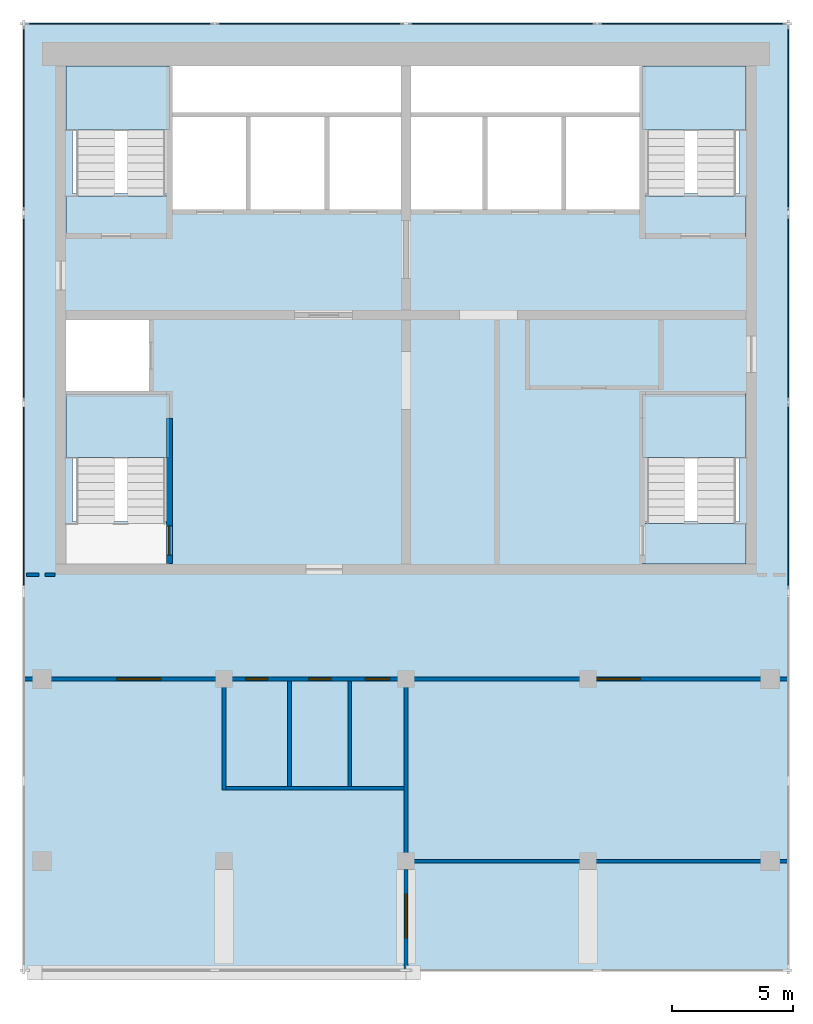
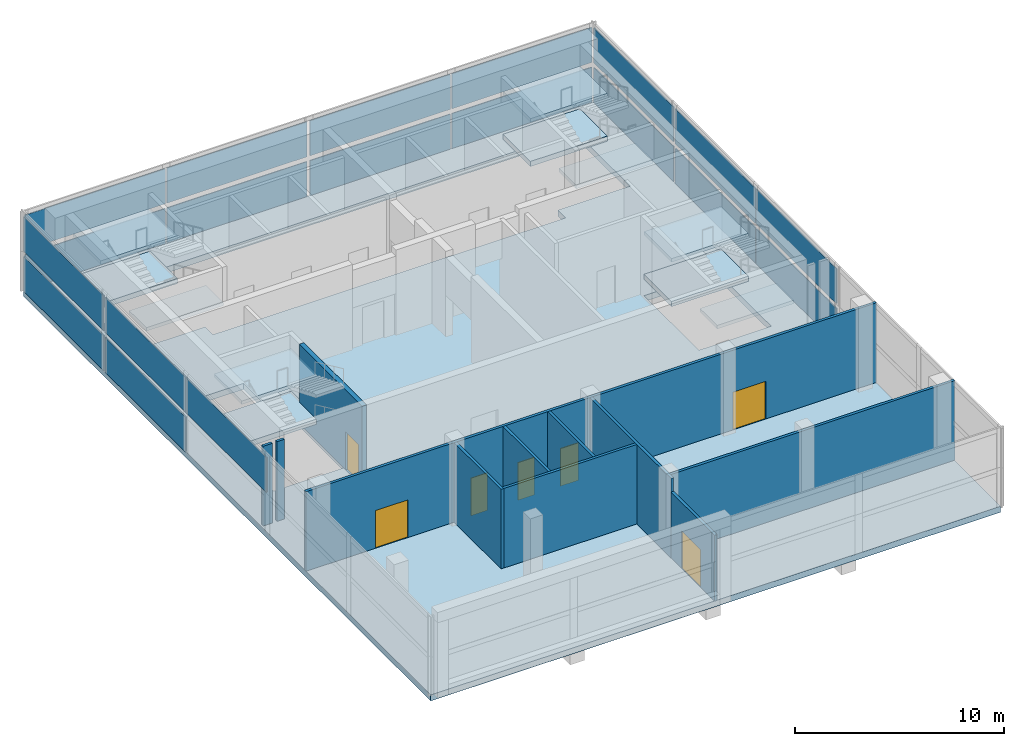
# One storey, part 3 of 6: 19 plates, 12 slabs, 11 walls, 7 doors, 7 openings, 16 elements without a shape of their own.
"""IFC4 building model written with IfcOpenShell, lengths in metres."""

from ifc_helpers import new_model, si_unit, direction, frame, frame_2d, origin, origin_2d, place, context, subcontext, project, spatial, polyline, rectangle, outline, extrude, material, layer, layer_set, type_object, element, fill, aggregate, save


model = new_model("IFC4")

# Units and contexts
model_context = context("Model", 3, precision=1e-05, world=origin(), true_north=direction((0.0, 1.0)))
body_context = subcontext(model_context, "Body", "Model", "MODEL_VIEW")
ifc_project = project(units=[si_unit("LENGTHUNIT", "METRE"), si_unit("AREAUNIT", "SQUARE_METRE"), si_unit("VOLUMEUNIT", "CUBIC_METRE"), si_unit("PLANEANGLEUNIT", "RADIAN"), si_unit("MASSUNIT", "GRAM", prefix="KILO")], contexts=[model_context])

# Site, building, storey
site_placement = place(None, origin())
site = spatial("IfcSite", under=ifc_project, at=site_placement, CompositionType="ELEMENT")
building_placement = place(site_placement, origin())
building = spatial("IfcBuilding", under=site, at=building_placement, Name="Pilkhan Gate Tower", CompositionType="ELEMENT")
storey_placement = place(building_placement, frame((0.0, 0.0, 287.699951171875)))
storey = spatial("IfcBuildingStorey", under=building, at=storey_placement, Name="L75", CompositionType="ELEMENT", Elevation=287.699951171875)

# Slab
ifc_material_1 = material(Name="Concrete C40/50", Category="concrete")
ifc_layer_1 = layer(ifc_material_1, 0.35009765625)
ifc_layer_set_1 = layer_set([ifc_layer_1], Name="Flat plate slab FP350")
slab_type_1 = type_object("IfcSlabType", Name="Flat plate slab FP350", PredefinedType="FLOOR", material=ifc_layer_set_1)
slab_1_placement = place(storey_placement, frame((0.0, 0.0, -0.349853515625)))
element("IfcSlab", 1, at=slab_1_placement, inside=storey, type_object=slab_type_1, Name="Floor slab L75", PredefinedType="FLOOR", context=body_context, shape_type="SweptSolid", body=[
    extrude(outline(polyline([(90.75, 94.5), (90.75, 55.5), (59.25, 55.5), (59.25, 94.5), (90.75, 94.5)]), holes=[polyline([(78.25, 86.75), (81.5, 86.75), (84.75, 86.75), (84.75, 87.5), (88.75, 87.5), (88.75, 92.75), (84.75, 92.75), (75.0, 92.75), (65.25, 92.75), (61.25, 92.75), (61.25, 87.5), (65.25, 87.5), (65.25, 86.75), (68.5, 86.75), (71.75, 86.75), (75.0, 86.75), (78.25, 86.75)]), polyline([(84.75, 79.25), (84.75, 74.0), (88.75, 74.0), (88.75, 79.25), (84.75, 79.25)]), polyline([(65.25, 79.25), (64.5, 79.25), (64.5, 82.5), (61.25, 82.5), (61.0, 82.5), (61.0, 79.25), (61.25, 79.25), (61.25, 74.0), (65.25, 74.0), (65.25, 79.25)])]), origin(), (0.0, 0.0, 1.0), 0.349853515625),
])

# Curtain wall, plates
ifc_material_2 = material(Name="Pale anodised aluminium, clear low-iron laminated glazing", Category="aluminium")
curtain_wall_type = type_object("IfcCurtainWallType", Name="Sky lobby and deck curtain wall CW-S", PredefinedType="USERDEFINED", material=ifc_material_2)
curtain_wall_1_placement = place(storey_placement, origin())
curtain_wall_1 = element("IfcCurtainWall", 2, at=curtain_wall_1_placement, inside=storey, type_object=curtain_wall_type, Name="Sky lobby and deck curtain wall CW-S L75 E", ObjectType="UNITISED CURTAIN WALL", PredefinedType="USERDEFINED")
ifc_material_3 = material(Name="Clear low-iron laminated glazing", Category="glass")
ifc_layer_2 = layer(ifc_material_3, 0.055908203125)
ifc_layer_set_2 = layer_set([ifc_layer_2], Name="Glass panel CW-S 56")
plate_type = type_object("IfcPlateType", Name="Glass panel CW-S 56", PredefinedType="CURTAIN_PANEL", material=ifc_layer_set_2)
plate_1_placement = place(storey_placement, frame((90.75, 75.0224609375, 0.0), z_axis=(0.0, 0.0, 1.0), x_axis=(0.0, 1.0, 0.0)))
plate_1 = element("IfcPlate", 3, at=plate_1_placement, type_object=plate_type, Name="CW-S panel 1", PredefinedType="CURTAIN_PANEL", context=body_context, shape_type="SweptSolid", body=[
    extrude(rectangle(XDim=7.6650390625, YDim=0.055908203125, at=origin_2d()), origin(), (0.0, 0.0, 1.0), 2.044921875),
])
plate_2_placement = place(storey_placement, frame((90.75, 82.777587890625, 0.0), z_axis=(0.0, 0.0, 1.0), x_axis=(0.0, 1.0, 0.0)))
plate_2 = element("IfcPlate", 4, at=plate_2_placement, type_object=plate_type, Name="CW-S panel 2", PredefinedType="CURTAIN_PANEL", context=body_context, shape_type="SweptSolid", body=[
    extrude(rectangle(XDim=7.6650390625, YDim=0.055908203125, at=origin_2d()), origin(), (0.0, 0.0, 1.0), 2.044921875),
])
aggregate(curtain_wall_1, [plate_1, plate_2])

# Curtain wall, plate
curtain_wall_2_placement = place(storey_placement, origin())
curtain_wall_2 = element("IfcCurtainWall", 5, at=curtain_wall_2_placement, inside=storey, type_object=curtain_wall_type, Name="Sky lobby and deck curtain wall CW-S L75 E", ObjectType="UNITISED CURTAIN WALL", PredefinedType="USERDEFINED")
plate_3_placement = place(storey_placement, frame((90.75, 90.60009765625, 0.0), z_axis=(0.0, 0.0, 1.0), x_axis=(0.0, 1.0, 0.0)))
plate_3 = element("IfcPlate", 6, at=plate_3_placement, type_object=plate_type, Name="CW-S panel 1", PredefinedType="CURTAIN_PANEL", context=body_context, shape_type="SweptSolid", body=[
    extrude(rectangle(XDim=7.6201171875, YDim=0.055908203125, at=origin_2d()), origin(), (0.0, 0.0, 1.0), 2.044921875),
])
aggregate(curtain_wall_2, [plate_3])

# Curtain wall, plates
curtain_wall_3_placement = place(storey_placement, origin())
curtain_wall_3 = element("IfcCurtainWall", 7, at=curtain_wall_3_placement, inside=storey, type_object=curtain_wall_type, Name="Sky lobby and deck curtain wall CW-S L75 E", ObjectType="UNITISED CURTAIN WALL", PredefinedType="USERDEFINED")
plate_4_placement = place(storey_placement, frame((90.75, 75.0224609375, 2.3251953125), z_axis=(0.0, 0.0, 1.0), x_axis=(0.0, 1.0, 0.0)))
plate_4 = element("IfcPlate", 8, at=plate_4_placement, type_object=plate_type, Name="CW-S panel 1", PredefinedType="CURTAIN_PANEL", context=body_context, shape_type="SweptSolid", body=[
    extrude(rectangle(XDim=7.6650390625, YDim=0.055908203125, at=origin_2d()), origin(), (0.0, 0.0, 1.0), 2.044921875),
])
plate_5_placement = place(storey_placement, frame((90.75, 82.777587890625, 2.3251953125), z_axis=(0.0, 0.0, 1.0), x_axis=(0.0, 1.0, 0.0)))
plate_5 = element("IfcPlate", 9, at=plate_5_placement, type_object=plate_type, Name="CW-S panel 2", PredefinedType="CURTAIN_PANEL", context=body_context, shape_type="SweptSolid", body=[
    extrude(rectangle(XDim=7.6650390625, YDim=0.055908203125, at=origin_2d()), origin(), (0.0, 0.0, 1.0), 2.044921875),
])
aggregate(curtain_wall_3, [plate_4, plate_5])

# Curtain wall, plate
curtain_wall_4_placement = place(storey_placement, origin())
curtain_wall_4 = element("IfcCurtainWall", 10, at=curtain_wall_4_placement, inside=storey, type_object=curtain_wall_type, Name="Sky lobby and deck curtain wall CW-S L75 E", ObjectType="UNITISED CURTAIN WALL", PredefinedType="USERDEFINED")
plate_6_placement = place(storey_placement, frame((90.75, 90.60009765625, 2.3251953125), z_axis=(0.0, 0.0, 1.0), x_axis=(0.0, 1.0, 0.0)))
plate_6 = element("IfcPlate", 11, at=plate_6_placement, type_object=plate_type, Name="CW-S panel 1", PredefinedType="CURTAIN_PANEL", context=body_context, shape_type="SweptSolid", body=[
    extrude(rectangle(XDim=7.6201171875, YDim=0.055908203125, at=origin_2d()), origin(), (0.0, 0.0, 1.0), 2.044921875),
])
aggregate(curtain_wall_4, [plate_6])

# Curtain wall, plates
curtain_wall_5_placement = place(storey_placement, origin())
curtain_wall_5 = element("IfcCurtainWall", 12, at=curtain_wall_5_placement, inside=storey, type_object=curtain_wall_type, Name="Sky lobby and deck curtain wall CW-S L75 N", ObjectType="UNITISED CURTAIN WALL", PredefinedType="USERDEFINED")
plate_7_placement = place(storey_placement, frame((63.2099609375, 94.5, 0.0), z_axis=(0.0, 0.0, 1.0), x_axis=(1.0, 0.0, 0.0)))
plate_7 = element("IfcPlate", 13, at=plate_7_placement, type_object=plate_type, Name="CW-S panel 1", PredefinedType="CURTAIN_PANEL", context=body_context, shape_type="SweptSolid", body=[
    extrude(rectangle(XDim=7.739990234375, YDim=0.055908203125, at=origin_2d()), origin(), (0.0, 0.0, 1.0), 2.044921875),
])
plate_8_placement = place(storey_placement, frame((71.0400390625, 94.5, 0.0), z_axis=(0.0, 0.0, 1.0), x_axis=(1.0, 0.0, 0.0)))
plate_8 = element("IfcPlate", 14, at=plate_8_placement, type_object=plate_type, Name="CW-S panel 2", PredefinedType="CURTAIN_PANEL", context=body_context, shape_type="SweptSolid", body=[
    extrude(rectangle(XDim=7.739990234375, YDim=0.055908203125, at=origin_2d()), origin(), (0.0, 0.0, 1.0), 2.044921875),
])
aggregate(curtain_wall_5, [plate_7, plate_8])

curtain_wall_6_placement = place(storey_placement, origin())
curtain_wall_6 = element("IfcCurtainWall", 15, at=curtain_wall_6_placement, inside=storey, type_object=curtain_wall_type, Name="Sky lobby and deck curtain wall CW-S L75 N", ObjectType="UNITISED CURTAIN WALL", PredefinedType="USERDEFINED")
plate_9_placement = place(storey_placement, frame((78.9599609375, 94.5, 0.0), z_axis=(0.0, 0.0, 1.0), x_axis=(1.0, 0.0, 0.0)))
plate_9 = element("IfcPlate", 16, at=plate_9_placement, type_object=plate_type, Name="CW-S panel 1", PredefinedType="CURTAIN_PANEL", context=body_context, shape_type="SweptSolid", body=[
    extrude(rectangle(XDim=7.739990234375, YDim=0.055908203125, at=origin_2d()), origin(), (0.0, 0.0, 1.0), 2.044921875),
])
plate_10_placement = place(storey_placement, frame((86.7900390625, 94.5, 0.0), z_axis=(0.0, 0.0, 1.0), x_axis=(1.0, 0.0, 0.0)))
plate_10 = element("IfcPlate", 17, at=plate_10_placement, type_object=plate_type, Name="CW-S panel 2", PredefinedType="CURTAIN_PANEL", context=body_context, shape_type="SweptSolid", body=[
    extrude(rectangle(XDim=7.739990234375, YDim=0.055908203125, at=origin_2d()), origin(), (0.0, 0.0, 1.0), 2.044921875),
])
aggregate(curtain_wall_6, [plate_9, plate_10])

curtain_wall_7_placement = place(storey_placement, origin())
curtain_wall_7 = element("IfcCurtainWall", 18, at=curtain_wall_7_placement, inside=storey, type_object=curtain_wall_type, Name="Sky lobby and deck curtain wall CW-S L75 N", ObjectType="UNITISED CURTAIN WALL", PredefinedType="USERDEFINED")
plate_11_placement = place(storey_placement, frame((63.2099609375, 94.5, 2.3251953125), z_axis=(0.0, 0.0, 1.0), x_axis=(1.0, 0.0, 0.0)))
plate_11 = element("IfcPlate", 19, at=plate_11_placement, type_object=plate_type, Name="CW-S panel 1", PredefinedType="CURTAIN_PANEL", context=body_context, shape_type="SweptSolid", body=[
    extrude(rectangle(XDim=7.739990234375, YDim=0.055908203125, at=origin_2d()), origin(), (0.0, 0.0, 1.0), 2.044921875),
])
plate_12_placement = place(storey_placement, frame((71.0400390625, 94.5, 2.3251953125), z_axis=(0.0, 0.0, 1.0), x_axis=(1.0, 0.0, 0.0)))
plate_12 = element("IfcPlate", 20, at=plate_12_placement, type_object=plate_type, Name="CW-S panel 2", PredefinedType="CURTAIN_PANEL", context=body_context, shape_type="SweptSolid", body=[
    extrude(rectangle(XDim=7.739990234375, YDim=0.055908203125, at=origin_2d()), origin(), (0.0, 0.0, 1.0), 2.044921875),
])
aggregate(curtain_wall_7, [plate_11, plate_12])

curtain_wall_8_placement = place(storey_placement, origin())
curtain_wall_8 = element("IfcCurtainWall", 21, at=curtain_wall_8_placement, inside=storey, type_object=curtain_wall_type, Name="Sky lobby and deck curtain wall CW-S L75 N", ObjectType="UNITISED CURTAIN WALL", PredefinedType="USERDEFINED")
plate_13_placement = place(storey_placement, frame((78.9599609375, 94.5, 2.3251953125), z_axis=(0.0, 0.0, 1.0), x_axis=(1.0, 0.0, 0.0)))
plate_13 = element("IfcPlate", 22, at=plate_13_placement, type_object=plate_type, Name="CW-S panel 1", PredefinedType="CURTAIN_PANEL", context=body_context, shape_type="SweptSolid", body=[
    extrude(rectangle(XDim=7.739990234375, YDim=0.055908203125, at=origin_2d()), origin(), (0.0, 0.0, 1.0), 2.044921875),
])
plate_14_placement = place(storey_placement, frame((86.7900390625, 94.5, 2.3251953125), z_axis=(0.0, 0.0, 1.0), x_axis=(1.0, 0.0, 0.0)))
plate_14 = element("IfcPlate", 23, at=plate_14_placement, type_object=plate_type, Name="CW-S panel 2", PredefinedType="CURTAIN_PANEL", context=body_context, shape_type="SweptSolid", body=[
    extrude(rectangle(XDim=7.739990234375, YDim=0.055908203125, at=origin_2d()), origin(), (0.0, 0.0, 1.0), 2.044921875),
])
aggregate(curtain_wall_8, [plate_13, plate_14])

# Curtain wall, plate
curtain_wall_9_placement = place(storey_placement, origin())
curtain_wall_9 = element("IfcCurtainWall", 24, at=curtain_wall_9_placement, inside=storey, type_object=curtain_wall_type, Name="Sky lobby and deck curtain wall CW-S L75 W", ObjectType="UNITISED CURTAIN WALL", PredefinedType="USERDEFINED")
plate_15_placement = place(storey_placement, frame((59.25, 82.777587890625, 0.0), z_axis=(0.0, 0.0, 1.0), x_axis=(0.0, 1.0, 0.0)))
plate_15 = element("IfcPlate", 25, at=plate_15_placement, type_object=plate_type, Name="CW-S panel 2", PredefinedType="CURTAIN_PANEL", context=body_context, shape_type="SweptSolid", body=[
    extrude(rectangle(XDim=7.6650390625, YDim=0.055908203125, at=origin_2d()), origin(), (0.0, 0.0, 1.0), 2.044921875),
])
aggregate(curtain_wall_9, [plate_15])

curtain_wall_10_placement = place(storey_placement, origin())
curtain_wall_10 = element("IfcCurtainWall", 26, at=curtain_wall_10_placement, inside=storey, type_object=curtain_wall_type, Name="Sky lobby and deck curtain wall CW-S L75 W", ObjectType="UNITISED CURTAIN WALL", PredefinedType="USERDEFINED")
plate_16_placement = place(storey_placement, frame((59.25, 90.60009765625, 0.0), z_axis=(0.0, 0.0, 1.0), x_axis=(0.0, 1.0, 0.0)))
plate_16 = element("IfcPlate", 27, at=plate_16_placement, type_object=plate_type, Name="CW-S panel 1", PredefinedType="CURTAIN_PANEL", context=body_context, shape_type="SweptSolid", body=[
    extrude(rectangle(XDim=7.6201171875, YDim=0.055908203125, at=origin_2d()), origin(), (0.0, 0.0, 1.0), 2.044921875),
])
aggregate(curtain_wall_10, [plate_16])

# Curtain wall, plates
curtain_wall_11_placement = place(storey_placement, origin())
curtain_wall_11 = element("IfcCurtainWall", 28, at=curtain_wall_11_placement, inside=storey, type_object=curtain_wall_type, Name="Sky lobby and deck curtain wall CW-S L75 W", ObjectType="UNITISED CURTAIN WALL", PredefinedType="USERDEFINED")
plate_17_placement = place(storey_placement, frame((59.25, 75.0224609375, 2.3251953125), z_axis=(0.0, 0.0, 1.0), x_axis=(0.0, 1.0, 0.0)))
plate_17 = element("IfcPlate", 29, at=plate_17_placement, type_object=plate_type, Name="CW-S panel 1", PredefinedType="CURTAIN_PANEL", context=body_context, shape_type="SweptSolid", body=[
    extrude(rectangle(XDim=7.6650390625, YDim=0.055908203125, at=origin_2d()), origin(), (0.0, 0.0, 1.0), 2.044921875),
])
plate_18_placement = place(storey_placement, frame((59.25, 82.777587890625, 2.3251953125), z_axis=(0.0, 0.0, 1.0), x_axis=(0.0, 1.0, 0.0)))
plate_18 = element("IfcPlate", 30, at=plate_18_placement, type_object=plate_type, Name="CW-S panel 2", PredefinedType="CURTAIN_PANEL", context=body_context, shape_type="SweptSolid", body=[
    extrude(rectangle(XDim=7.6650390625, YDim=0.055908203125, at=origin_2d()), origin(), (0.0, 0.0, 1.0), 2.044921875),
])
aggregate(curtain_wall_11, [plate_17, plate_18])

# Curtain wall, plate
curtain_wall_12_placement = place(storey_placement, origin())
curtain_wall_12 = element("IfcCurtainWall", 31, at=curtain_wall_12_placement, inside=storey, type_object=curtain_wall_type, Name="Sky lobby and deck curtain wall CW-S L75 W", ObjectType="UNITISED CURTAIN WALL", PredefinedType="USERDEFINED")
plate_19_placement = place(storey_placement, frame((59.25, 90.60009765625, 2.3251953125), z_axis=(0.0, 0.0, 1.0), x_axis=(0.0, 1.0, 0.0)))
plate_19 = element("IfcPlate", 32, at=plate_19_placement, type_object=plate_type, Name="CW-S panel 1", PredefinedType="CURTAIN_PANEL", context=body_context, shape_type="SweptSolid", body=[
    extrude(rectangle(XDim=7.6201171875, YDim=0.055908203125, at=origin_2d()), origin(), (0.0, 0.0, 1.0), 2.044921875),
])
aggregate(curtain_wall_12, [plate_19])

# Stair, slabs
ifc_material_4 = material(Name="Concrete C40/50 precast", Category="concrete")
stair_type_1 = type_object("IfcStairType", Name="Stair ST1 139x340", PredefinedType="HALF_TURN_STAIR", material=ifc_material_4)
stair_1_placement = place(storey_placement, origin())
stair_1 = element("IfcStair", 33, at=stair_1_placement, inside=storey, type_object=stair_type_1, Name="Stair ST1 L75", PredefinedType="HALF_TURN_STAIR")
ifc_layer_3 = layer(ifc_material_1, 0.199951171875)
ifc_layer_set_3 = layer_set([ifc_layer_3], Name="Stair landing SL200")
slab_type_2 = type_object("IfcSlabType", Name="Stair landing SL200", PredefinedType="LANDING", material=ifc_layer_set_3)
slab_2_placement = place(storey_placement, frame((0.0, 0.0, 0.949951171875)))
slab_2 = element("IfcSlab", 34, at=slab_2_placement, type_object=slab_type_2, Name="ST1 landing 1", PredefinedType="LANDING", context=body_context, shape_type="SweptSolid", body=[
    extrude(outline(polyline([(89.0, 76.6201171875), (89.0, 79.25), (84.75, 79.25), (84.75, 76.6201171875), (89.0, 76.6201171875)])), origin(), (0.0, 0.0, 1.0), 0.300048828125),
])
slab_3_placement = place(storey_placement, frame((0.0, 0.0, 2.300048828125)))
slab_3 = element("IfcSlab", 35, at=slab_3_placement, type_object=slab_type_2, Name="ST1 landing 2", PredefinedType="LANDING", context=body_context, shape_type="SweptSolid", body=[
    extrude(outline(polyline([(89.0, 72.25), (89.0, 73.89990234375), (84.75, 73.89990234375), (84.75, 72.25), (89.0, 72.25)])), origin(), (0.0, 0.0, 1.0), 0.199951171875),
])
slab_4_placement = place(storey_placement, frame((0.0, 0.0, 3.550048828125)))
slab_4 = element("IfcSlab", 36, at=slab_4_placement, type_object=slab_type_2, Name="ST1 landing 3", PredefinedType="LANDING", context=body_context, shape_type="SweptSolid", body=[
    extrude(outline(polyline([(89.0, 76.6201171875), (89.0, 79.25), (84.75, 79.25), (84.75, 76.6201171875), (89.0, 76.6201171875)])), origin(), (0.0, 0.0, 1.0), 0.199951171875),
])
aggregate(stair_1, [slab_2, slab_3, slab_4])

stair_type_2 = type_object("IfcStairType", Name="Stair ST2 139x340", PredefinedType="HALF_TURN_STAIR", material=ifc_material_4)
stair_2_placement = place(storey_placement, origin())
stair_2 = element("IfcStair", 37, at=stair_2_placement, inside=storey, type_object=stair_type_2, Name="Stair ST2 L75", PredefinedType="HALF_TURN_STAIR")
slab_5_placement = place(storey_placement, frame((0.0, 0.0, 0.949951171875)))
slab_5 = element("IfcSlab", 38, at=slab_5_placement, type_object=slab_type_2, Name="ST2 landing 1", PredefinedType="LANDING", context=body_context, shape_type="SweptSolid", body=[
    extrude(outline(polyline([(65.25, 76.6201171875), (65.25, 79.25), (61.0, 79.25), (61.0, 76.6201171875), (65.25, 76.6201171875)])), origin(), (0.0, 0.0, 1.0), 0.300048828125),
])
slab_6_placement = place(storey_placement, frame((0.0, 0.0, 3.550048828125)))
slab_6 = element("IfcSlab", 39, at=slab_6_placement, type_object=slab_type_2, Name="ST2 landing 3", PredefinedType="LANDING", context=body_context, shape_type="SweptSolid", body=[
    extrude(outline(polyline([(65.25, 76.6201171875), (65.25, 79.25), (61.0, 79.25), (61.0, 76.6201171875), (65.25, 76.6201171875)])), origin(), (0.0, 0.0, 1.0), 0.199951171875),
])
aggregate(stair_2, [slab_5, slab_6])

stair_type_3 = type_object("IfcStairType", Name="Stair ST3 139x340", PredefinedType="HALF_TURN_STAIR", material=ifc_material_4)
stair_3_placement = place(storey_placement, origin())
stair_3 = element("IfcStair", 40, at=stair_3_placement, inside=storey, type_object=stair_type_3, Name="Stair ST3 L75", PredefinedType="HALF_TURN_STAIR")
slab_7_placement = place(storey_placement, frame((0.0, 0.0, 0.949951171875)))
slab_7 = element("IfcSlab", 41, at=slab_7_placement, type_object=slab_type_2, Name="ST3 landing 1", PredefinedType="LANDING", context=body_context, shape_type="SweptSolid", body=[
    extrude(outline(polyline([(65.25, 90.1201171875), (65.25, 92.75), (61.0, 92.75), (61.0, 90.1201171875), (65.25, 90.1201171875)])), origin(), (0.0, 0.0, 1.0), 0.300048828125),
])
slab_8_placement = place(storey_placement, frame((0.0, 0.0, 2.300048828125)))
slab_8 = element("IfcSlab", 42, at=slab_8_placement, type_object=slab_type_2, Name="ST3 landing 2", PredefinedType="LANDING", context=body_context, shape_type="SweptSolid", body=[
    extrude(outline(polyline([(65.25, 85.75), (65.25, 87.39990234375), (61.0, 87.39990234375), (61.0, 85.75), (65.25, 85.75)])), origin(), (0.0, 0.0, 1.0), 0.199951171875),
])
slab_9_placement = place(storey_placement, frame((0.0, 0.0, 3.550048828125)))
slab_9 = element("IfcSlab", 43, at=slab_9_placement, type_object=slab_type_2, Name="ST3 landing 3", PredefinedType="LANDING", context=body_context, shape_type="SweptSolid", body=[
    extrude(outline(polyline([(65.25, 90.1201171875), (65.25, 92.75), (61.0, 92.75), (61.0, 90.1201171875), (65.25, 90.1201171875)])), origin(), (0.0, 0.0, 1.0), 0.199951171875),
])
aggregate(stair_3, [slab_7, slab_8, slab_9])

stair_type_4 = type_object("IfcStairType", Name="Stair ST4 139x340", PredefinedType="HALF_TURN_STAIR", material=ifc_material_4)
stair_4_placement = place(storey_placement, origin())
stair_4 = element("IfcStair", 44, at=stair_4_placement, inside=storey, type_object=stair_type_4, Name="Stair ST4 L75", PredefinedType="HALF_TURN_STAIR")
slab_10_placement = place(storey_placement, frame((0.0, 0.0, 0.949951171875)))
slab_10 = element("IfcSlab", 45, at=slab_10_placement, type_object=slab_type_2, Name="ST4 landing 1", PredefinedType="LANDING", context=body_context, shape_type="SweptSolid", body=[
    extrude(outline(polyline([(89.0, 90.1201171875), (89.0, 92.75), (84.75, 92.75), (84.75, 90.1201171875), (89.0, 90.1201171875)])), origin(), (0.0, 0.0, 1.0), 0.300048828125),
])
slab_11_placement = place(storey_placement, frame((0.0, 0.0, 2.300048828125)))
slab_11 = element("IfcSlab", 46, at=slab_11_placement, type_object=slab_type_2, Name="ST4 landing 2", PredefinedType="LANDING", context=body_context, shape_type="SweptSolid", body=[
    extrude(outline(polyline([(89.0, 85.75), (89.0, 87.39990234375), (84.75, 87.39990234375), (84.75, 85.75), (89.0, 85.75)])), origin(), (0.0, 0.0, 1.0), 0.199951171875),
])
slab_12_placement = place(storey_placement, frame((0.0, 0.0, 3.550048828125)))
slab_12 = element("IfcSlab", 47, at=slab_12_placement, type_object=slab_type_2, Name="ST4 landing 3", PredefinedType="LANDING", context=body_context, shape_type="SweptSolid", body=[
    extrude(outline(polyline([(89.0, 90.1201171875), (89.0, 92.75), (84.75, 92.75), (84.75, 90.1201171875), (89.0, 90.1201171875)])), origin(), (0.0, 0.0, 1.0), 0.199951171875),
])
aggregate(stair_4, [slab_10, slab_11, slab_12])

# Walls
ifc_material_5 = material(Name="Blockwork partition, plastered both sides", Category="masonry")
ifc_layer_4 = layer(ifc_material_5, 0.14990234375)
ifc_layer_set_4 = layer_set([ifc_layer_4], Name="Partition PW150")
wall_type_1 = type_object("IfcWallType", Name="Partition PW150", PredefinedType="PARTITIONING", material=ifc_layer_set_4)
wall_1_placement = place(storey_placement, frame((75.074951171875, 60.0, 0.0), z_axis=(0.0, 0.0, 1.0), x_axis=(1.0, 0.0, 0.0)))
element("IfcWall", 48, at=wall_1_placement, inside=storey, type_object=wall_type_1, Name="Partition L75", PredefinedType="PARTITIONING", context=body_context, shape_type="SweptSolid", body=[
    extrude(rectangle(XDim=15.68994140625, YDim=0.14990234375, at=frame_2d((7.844970703125, 0.0))), origin(), (0.0, 0.0, 1.0), 4.650146484375),
])
wall_2_placement = place(storey_placement, frame((67.574951171875, 63.0, 0.0), z_axis=(0.0, 0.0, 1.0), x_axis=(1.0, 0.0, 0.0)))
element("IfcWall", 49, at=wall_2_placement, inside=storey, type_object=wall_type_1, Name="Partition L75", PredefinedType="PARTITIONING", context=body_context, shape_type="SweptSolid", body=[
    extrude(rectangle(XDim=7.35009765625, YDim=0.14990234375, at=frame_2d((3.675048828125, 0.0))), origin(), (0.0, 0.0, 1.0), 4.650146484375),
])

# Wall, openings, doors
wall_3_placement = place(storey_placement, frame((59.235107421875, 67.5, 0.0), z_axis=(0.0, 0.0, 1.0), x_axis=(1.0, 0.0, 0.0)))
wall_3 = element("IfcWall", 50, at=wall_3_placement, inside=storey, type_object=wall_type_1, Name="Partition L75", PredefinedType="PARTITIONING", context=body_context, shape_type="SweptSolid", body=[
    extrude(rectangle(XDim=31.52978515625, YDim=0.14990234375, at=frame_2d((15.764892578125, 0.0))), origin(), (0.0, 0.0, 1.0), 4.650146484375),
])
opening_1_placement = place(wall_3_placement, frame((3.85009765625, 0.0, 0.0)))
opening_1 = element("IfcOpeningElement", 51, at=opening_1_placement, cuts=wall_3, Name="Opening L75-06", PredefinedType="OPENING", context=body_context, shape_type="SweptSolid", body=[
    extrude(rectangle(XDim=1.800048828125, YDim=2.199951171875, at=frame_2d((0.89990234375, 1.10009765625))), frame((0.0, 0.0849609375, 0.0), z_axis=(0.0, -1.0, 0.0), x_axis=(1.0, 0.0, 0.0)), (0.0, 0.0, 1.0), 0.169921875),
])
opening_2_placement = place(wall_3_placement, frame((9.1650390625, 0.0, 0.0)))
opening_2 = element("IfcOpeningElement", 52, at=opening_2_placement, cuts=wall_3, Name="Opening L75-12", PredefinedType="OPENING", context=body_context, shape_type="SweptSolid", body=[
    extrude(rectangle(XDim=0.89990234375, YDim=2.199951171875, at=frame_2d((0.449951171875, 1.10009765625))), frame((0.0, 0.0849609375, 0.0), z_axis=(0.0, -1.0, 0.0), x_axis=(1.0, 0.0, 0.0)), (0.0, 0.0, 1.0), 0.169921875),
])
opening_3_placement = place(wall_3_placement, frame((11.764892578125, 0.0, 0.0)))
opening_3 = element("IfcOpeningElement", 53, at=opening_3_placement, cuts=wall_3, Name="Opening L75-13", PredefinedType="OPENING", context=body_context, shape_type="SweptSolid", body=[
    extrude(rectangle(XDim=0.89990234375, YDim=2.199951171875, at=frame_2d((0.449951171875, 1.10009765625))), frame((0.0, 0.0849609375, 0.0), z_axis=(0.0, -1.0, 0.0), x_axis=(1.0, 0.0, 0.0)), (0.0, 0.0, 1.0), 0.169921875),
])
opening_4_placement = place(wall_3_placement, frame((14.090087890625, 0.0, 0.0)))
opening_4 = element("IfcOpeningElement", 54, at=opening_4_placement, cuts=wall_3, Name="Opening L75-14", PredefinedType="OPENING", context=body_context, shape_type="SweptSolid", body=[
    extrude(rectangle(XDim=1.0, YDim=2.199951171875, at=frame_2d((0.5, 1.10009765625))), frame((0.0, 0.0849609375, 0.0), z_axis=(0.0, -1.0, 0.0), x_axis=(1.0, 0.0, 0.0)), (0.0, 0.0, 1.0), 0.169921875),
])
opening_5_placement = place(wall_3_placement, frame((23.614990234375, 0.0, 0.0)))
opening_5 = element("IfcOpeningElement", 55, at=opening_5_placement, cuts=wall_3, Name="Opening L75-15", PredefinedType="OPENING", context=body_context, shape_type="SweptSolid", body=[
    extrude(rectangle(XDim=1.800048828125, YDim=2.199951171875, at=frame_2d((0.89990234375, 1.10009765625))), frame((0.0, 0.0849609375, 0.0), z_axis=(0.0, -1.0, 0.0), x_axis=(1.0, 0.0, 0.0)), (0.0, 0.0, 1.0), 0.169921875),
])
ifc_material_6 = material(Name="Timber flush door, outward opening, 30 minute fire resisting", Category="wood")
door_type_1 = type_object("IfcDoorType", Name="Accessible toilet door D07 1000x2200", OperationType="SINGLE_SWING_LEFT", PredefinedType="DOOR", material=ifc_material_6)
door_1_placement = place(opening_4_placement, origin())
door_1 = element("IfcDoor", 56, at=door_1_placement, inside=storey, type_object=door_type_1, Name="Accessible toilet door", OperationType="SINGLE_SWING_RIGHT", OverallHeight=2.199951171875, OverallWidth=1.0, PredefinedType="DOOR", context=body_context, shape_type="SweptSolid", body=[
    extrude(rectangle(XDim=1.0, YDim=2.199951171875, at=frame_2d((0.5, 1.10009765625))), frame((0.0, 0.02490234375, 0.0), z_axis=(0.0, -1.0, 0.0), x_axis=(1.0, 0.0, 0.0)), (0.0, 0.0, 1.0), 0.050048828125),
])
fill(opening_4, door_1)
ifc_material_7 = material(Name="Timber glazed double door, 30 minute fire resisting", Category="wood")
door_type_2 = type_object("IfcDoorType", Name="Double door D04 1800x2200", OperationType="DOUBLE_DOOR_SINGLE_SWING", PredefinedType="DOOR", material=ifc_material_7)
door_2_placement = place(opening_1_placement, origin())
door_2 = element("IfcDoor", 57, at=door_2_placement, inside=storey, type_object=door_type_2, Name="Lookout hall double door", OperationType="DOUBLE_DOOR_SINGLE_SWING", OverallHeight=2.199951171875, OverallWidth=1.800048828125, PredefinedType="DOOR", context=body_context, shape_type="SweptSolid", body=[
    extrude(rectangle(XDim=1.800048828125, YDim=2.199951171875, at=frame_2d((0.89990234375, 1.10009765625))), frame((0.0, 0.02490234375, 0.0), z_axis=(0.0, -1.0, 0.0), x_axis=(1.0, 0.0, 0.0)), (0.0, 0.0, 1.0), 0.050048828125),
])
fill(opening_1, door_2)
door_3_placement = place(opening_5_placement, origin())
door_3 = element("IfcDoor", 58, at=door_3_placement, inside=storey, type_object=door_type_2, Name="Double door", OperationType="DOUBLE_DOOR_SINGLE_SWING", OverallHeight=2.199951171875, OverallWidth=1.800048828125, PredefinedType="DOOR", context=body_context, shape_type="SweptSolid", body=[
    extrude(rectangle(XDim=1.800048828125, YDim=2.199951171875, at=frame_2d((0.89990234375, 1.10009765625))), frame((0.0, 0.02490234375, 0.0), z_axis=(0.0, -1.0, 0.0), x_axis=(1.0, 0.0, 0.0)), (0.0, 0.0, 1.0), 0.050048828125),
])
fill(opening_5, door_3)
ifc_material_8 = material(Name="Timber flush door, 30 minute fire resisting", Category="wood")
door_type_3 = type_object("IfcDoorType", Name="Toilet door D06 900x2200", OperationType="SINGLE_SWING_LEFT", PredefinedType="DOOR", material=ifc_material_8)
door_4_placement = place(opening_2_placement, origin())
door_4 = element("IfcDoor", 59, at=door_4_placement, inside=storey, type_object=door_type_3, Name="Toilet door", OperationType="SINGLE_SWING_RIGHT", OverallHeight=2.199951171875, OverallWidth=0.89990234375, PredefinedType="DOOR", context=body_context, shape_type="SweptSolid", body=[
    extrude(rectangle(XDim=0.89990234375, YDim=2.199951171875, at=frame_2d((0.449951171875, 1.10009765625))), frame((0.0, 0.02490234375, 0.0), z_axis=(0.0, -1.0, 0.0), x_axis=(1.0, 0.0, 0.0)), (0.0, 0.0, 1.0), 0.050048828125),
])
fill(opening_2, door_4)
door_5_placement = place(opening_3_placement, origin())
door_5 = element("IfcDoor", 60, at=door_5_placement, inside=storey, type_object=door_type_3, Name="Toilet door", OperationType="SINGLE_SWING_LEFT", OverallHeight=2.199951171875, OverallWidth=0.89990234375, PredefinedType="DOOR", context=body_context, shape_type="SweptSolid", body=[
    extrude(rectangle(XDim=0.89990234375, YDim=2.199951171875, at=frame_2d((0.449951171875, 1.10009765625))), frame((0.0, 0.02490234375, 0.0), z_axis=(0.0, -1.0, 0.0), x_axis=(1.0, 0.0, 0.0)), (0.0, 0.0, 1.0), 0.050048828125),
])
fill(opening_3, door_5)

# Walls
wall_4_placement = place(storey_placement, frame((59.35498046875, 71.800048828125, 0.0), z_axis=(0.0, 0.0, 1.0), x_axis=(1.0, 0.0, 0.0)))
element("IfcWall", 61, at=wall_4_placement, inside=storey, type_object=wall_type_1, Name="Partition L75", PredefinedType="PARTITIONING", context=body_context, shape_type="SweptSolid", body=[
    extrude(rectangle(XDim=0.52490234375, YDim=0.14990234375, at=frame_2d((0.262451171875, 0.0))), origin(), (0.0, 0.0, 1.0), 4.650146484375),
])
wall_5_placement = place(storey_placement, frame((60.1201171875, 71.800048828125, 0.0), z_axis=(0.0, 0.0, 1.0), x_axis=(1.0, 0.0, 0.0)))
element("IfcWall", 62, at=wall_5_placement, inside=storey, type_object=wall_type_1, Name="Partition L75", PredefinedType="PARTITIONING", context=body_context, shape_type="SweptSolid", body=[
    extrude(rectangle(XDim=0.419921875, YDim=0.14990234375, at=frame_2d((0.2099609375, 0.0))), origin(), (0.0, 0.0, 1.0), 4.650146484375),
])
wall_6_placement = place(storey_placement, frame((67.5, 62.925048828125, 0.0), z_axis=(0.0, 0.0, 1.0), x_axis=(0.0, 1.0, 0.0)))
element("IfcWall", 63, at=wall_6_placement, inside=storey, type_object=wall_type_1, Name="Partition L75", PredefinedType="PARTITIONING", context=body_context, shape_type="SweptSolid", body=[
    extrude(rectangle(XDim=4.5, YDim=0.14990234375, at=frame_2d((2.25, 0.0))), origin(), (0.0, 0.0, 1.0), 4.650146484375),
])
for number, where, z_axis, x_axis, name in (
    (64, (70.199951171875, 63.074951171875, 0.0), (0.0, 0.0, 1.0), (0.0, 1.0, 0.0), "Partition L75"),
    (65, (72.675048828125, 63.074951171875, 0.0), (0.0, 0.0, 1.0), (0.0, 1.0, 0.0), "Partition L75"),
):
    element("IfcWall", number, at=place(storey_placement, frame(where, z_axis=z_axis, x_axis=x_axis)), inside=storey, type_object=wall_type_1, Name=name, PredefinedType="PARTITIONING", context=body_context, shape_type="SweptSolid", body=[
        extrude(rectangle(XDim=4.35009765625, YDim=0.14990234375, at=frame_2d((2.175048828125, 0.0))), origin(), (0.0, 0.0, 1.0), 4.650146484375),
    ])

# Wall, opening, door
wall_7_placement = place(storey_placement, frame((75.0, 55.485107421875, 0.0), z_axis=(0.0, 0.0, 1.0), x_axis=(0.0, 1.0, 0.0)))
wall_7 = element("IfcWall", 66, at=wall_7_placement, inside=storey, type_object=wall_type_1, Name="Partition L75", PredefinedType="PARTITIONING", context=body_context, shape_type="SweptSolid", body=[
    extrude(rectangle(XDim=4.164794921875, YDim=0.14990234375, at=frame_2d((2.08251953125, 0.0))), origin(), (0.0, 0.0, 1.0), 3.85009765625),
])
opening_6_placement = place(wall_7_placement, frame((1.35009765625, 0.0, 0.0)))
opening_6 = element("IfcOpeningElement", 67, at=opening_6_placement, cuts=wall_7, Name="Opening L75-07", PredefinedType="OPENING", context=body_context, shape_type="SweptSolid", body=[
    extrude(rectangle(XDim=1.800048828125, YDim=2.199951171875, at=frame_2d((0.89990234375, 1.10009765625))), frame((0.0, 0.0849609375, 0.0), z_axis=(0.0, -1.0, 0.0), x_axis=(1.0, 0.0, 0.0)), (0.0, 0.0, 1.0), 0.169921875),
])
door_6_placement = place(opening_6_placement, origin())
door_6 = element("IfcDoor", 68, at=door_6_placement, inside=storey, type_object=door_type_2, Name="Shop double door", OperationType="DOUBLE_DOOR_SINGLE_SWING", OverallHeight=2.199951171875, OverallWidth=1.800048828125, PredefinedType="DOOR", context=body_context, shape_type="SweptSolid", body=[
    extrude(rectangle(XDim=1.800048828125, YDim=2.199951171875, at=frame_2d((0.89990234375, 1.10009765625))), frame((0.0, 0.02490234375, 0.0), z_axis=(0.0, -1.0, 0.0), x_axis=(1.0, 0.0, 0.0)), (0.0, 0.0, 1.0), 0.050048828125),
])
fill(opening_6, door_6)

# Wall
wall_8_placement = place(storey_placement, frame((75.0, 59.64990234375, 0.0), z_axis=(0.0, 0.0, 1.0), x_axis=(0.0, 1.0, 0.0)))
element("IfcWall", 69, at=wall_8_placement, inside=storey, type_object=wall_type_1, Name="Partition L75", PredefinedType="PARTITIONING", context=body_context, shape_type="SweptSolid", body=[
    extrude(rectangle(XDim=7.775146484375, YDim=0.14990234375, at=frame_2d((3.8876953125, 0.0))), origin(), (0.0, 0.0, 1.0), 4.650146484375),
])

# Wall, opening, door
ifc_material_9 = material(Name="Reinforced blockwork, 120 minute fire resisting", Category="masonry")
ifc_layer_5 = layer(ifc_material_9, 0.25)
ifc_layer_set_5 = layer_set([ifc_layer_5], Name="Stair enclosure wall SE250")
wall_type_2 = type_object("IfcWallType", Name="Stair enclosure wall SE250", PredefinedType="PARTITIONING", material=ifc_layer_set_5)
wall_9_placement = place(storey_placement, frame((65.25, 72.260009765625, 0.0), z_axis=(0.0, 0.0, 1.0), x_axis=(0.0, 1.0, 0.0)))
wall_9 = element("IfcWall", 70, at=wall_9_placement, inside=storey, type_object=wall_type_2, Name="Partition L75", PredefinedType="PARTITIONING", context=body_context, shape_type="SweptSolid", body=[
    extrude(rectangle(XDim=5.989990234375, YDim=0.25, at=frame_2d((2.9951171875, 0.0))), origin(), (0.0, 0.0, 1.0), 4.650146484375),
])
opening_7_placement = place(wall_9_placement, frame((0.35009765625, 0.0, 0.0)))
opening_7 = element("IfcOpeningElement", 71, at=opening_7_placement, cuts=wall_9, Name="Opening L75-04", PredefinedType="OPENING", context=body_context, shape_type="SweptSolid", body=[
    extrude(rectangle(XDim=1.199951171875, YDim=2.199951171875, at=frame_2d((0.60009765625, 1.10009765625))), frame((0.0, 0.135009765625, 0.0), z_axis=(0.0, -1.0, 0.0), x_axis=(1.0, 0.0, 0.0)), (0.0, 0.0, 1.0), 0.27001953125),
])
ifc_material_10 = material(Name="Steel door, 120 minute fire resisting, panic bar", Category="steel")
door_type_4 = type_object("IfcDoorType", Name="Stair door D11 1200x2200", OperationType="SINGLE_SWING_LEFT", PredefinedType="DOOR", material=ifc_material_10)
door_7_placement = place(opening_7_placement, origin())
door_7 = element("IfcDoor", 72, at=door_7_placement, inside=storey, type_object=door_type_4, Name="Stair ST2 lobby door", OperationType="SINGLE_SWING_LEFT", OverallHeight=2.199951171875, OverallWidth=1.199951171875, PredefinedType="DOOR", context=body_context, shape_type="SweptSolid", body=[
    extrude(rectangle(XDim=1.199951171875, YDim=2.199951171875, at=frame_2d((0.60009765625, 1.10009765625))), frame((0.0, 0.02490234375, 0.0), z_axis=(0.0, -1.0, 0.0), x_axis=(1.0, 0.0, 0.0)), (0.0, 0.0, 1.0), 0.050048828125),
])
fill(opening_7, door_7)

save(model, "model.ifc")
